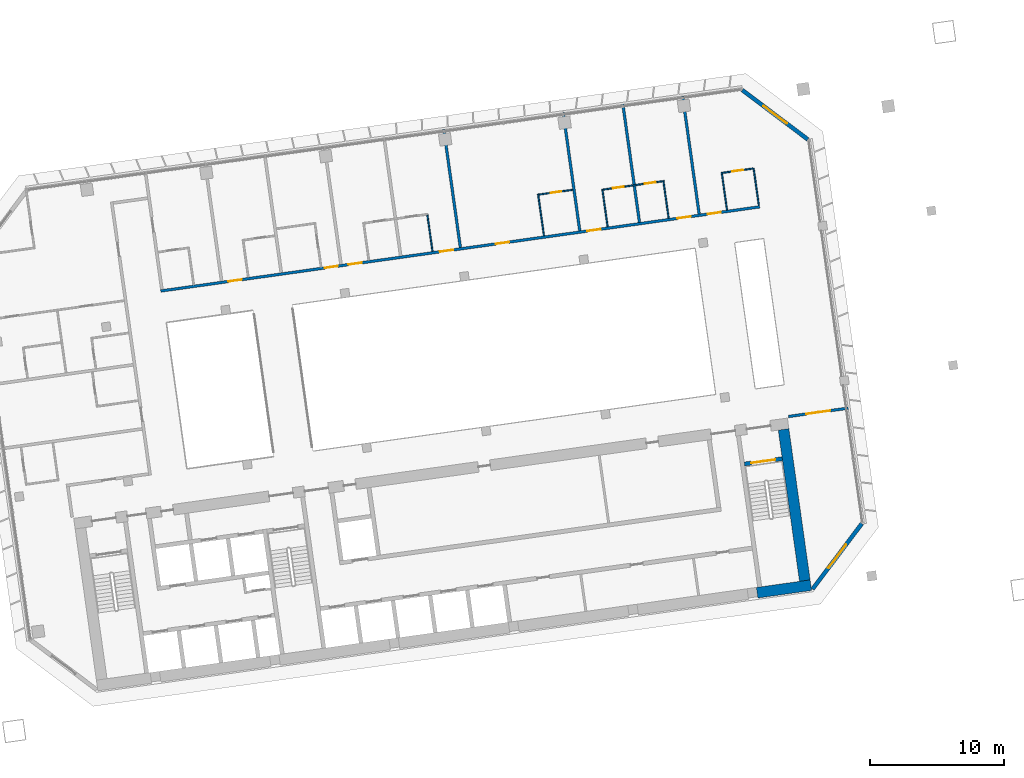
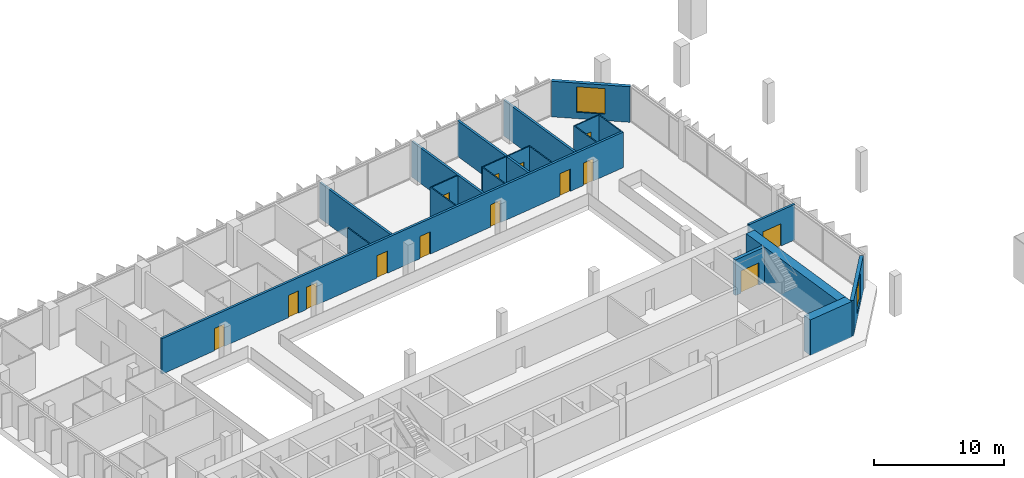
# One storey, part 23 of 26: 20 walls, 14 doors, 2 windows, 16 openings.
"""IFC4 building model written with IfcOpenShell, lengths in metres."""

from ifc_helpers import new_model, si_unit, direction, frame, frame_2d, origin, place, context, subcontext, project, spatial, rectangle, extrude, material, layer, layer_set, type_object, element, fill, save


model = new_model("IFC4")

# Units and contexts
model_context = context("Model", 3, precision=1e-05, world=origin(), true_north=direction((0.0, 1.0)))
body_context = subcontext(model_context, "Body", "Model", "MODEL_VIEW")
ifc_project = project(units=[si_unit("LENGTHUNIT", "METRE"), si_unit("AREAUNIT", "SQUARE_METRE"), si_unit("VOLUMEUNIT", "CUBIC_METRE"), si_unit("PLANEANGLEUNIT", "RADIAN"), si_unit("MASSUNIT", "GRAM", prefix="KILO")], contexts=[model_context])

# Site, building, storey
site_placement = place(None, origin())
site = spatial("IfcSite", under=ifc_project, at=site_placement, CompositionType="ELEMENT")
building_placement = place(site_placement, origin())
building = spatial("IfcBuilding", under=site, at=building_placement, Name="Mirante Cascada Hotel Towers", CompositionType="ELEMENT")
storey_placement = place(building_placement, frame((0.0, 0.0, 98.7)))
storey = spatial("IfcBuildingStorey", under=building, at=storey_placement, Name="L21", CompositionType="ELEMENT", Elevation=98.7)

# Wall, opening, door
ifc_material_1 = material(Name="Fire-rated plasterboard on metal studs")
ifc_layer_1 = layer(ifc_material_1, 0.2)
ifc_layer_set_1 = layer_set([ifc_layer_1], Name="Compartment wall 200 EI 120")
wall_type_1 = type_object("IfcWallType", Name="Compartment wall 200 EI 120", PredefinedType="PARTITIONING", material=ifc_layer_set_1)
wall_1_placement = place(storey_placement, frame((93.1941, 1.0244, 0.0), z_axis=(0.0, 0.0, 1.0), x_axis=(-0.9902674, -0.1391779, 0.0)))
wall_1 = element("IfcWall", 1, at=wall_1_placement, inside=storey, type_object=wall_type_1, Name="Wall 2-L21-01", PredefinedType="PARTITIONING", context=body_context, shape_type="SweptSolid", body=[
    extrude(rectangle(XDim=4.5, YDim=0.2, at=frame_2d((2.25, 0.0))), origin(), (0.0, 0.0, 1.0), 3.35),
])
opening_1_placement = place(wall_1_placement, frame((1.35, 0.0, 0.0)))
opening_1 = element("IfcOpeningElement", 2, at=opening_1_placement, cuts=wall_1, Name="Opening D2-L21-01", PredefinedType="OPENING", context=body_context, shape_type="SweptSolid", body=[
    extrude(rectangle(XDim=1.8, YDim=2.1, at=frame_2d((0.9, 1.05))), frame((0.0, 0.1, 0.0), z_axis=(0.0, -1.0, 0.0), x_axis=(1.0, 0.0, 0.0)), (0.0, 0.0, 1.0), 0.2),
])
ifc_material_2 = material(Name="Fire-rated timber door leaf", Category="wood")
door_type_1 = type_object("IfcDoorType", Name="Suite double door DG2 1800x2100 EI 60", OperationType="DOUBLE_DOOR_SINGLE_SWING", PredefinedType="DOOR", material=ifc_material_2)
door_1_placement = place(opening_1_placement, origin())
door_1 = element("IfcDoor", 3, at=door_1_placement, inside=storey, type_object=door_type_1, Name="Door D2-L21-01", OperationType="DOUBLE_DOOR_SINGLE_SWING", OverallHeight=2.1, OverallWidth=1.8, PredefinedType="DOOR", context=body_context, shape_type="SweptSolid", body=[
    extrude(rectangle(XDim=0.895, YDim=2.1, at=frame_2d((0.4475, 1.05))), frame((0.0, 0.025, 0.0), z_axis=(0.0, -1.0, 0.0), x_axis=(1.0, 0.0, 0.0)), (0.0, 0.0, 1.0), 0.05),
    extrude(rectangle(XDim=0.895, YDim=2.1, at=frame_2d((1.3525, 1.05))), frame((0.0, 0.025, 0.0), z_axis=(0.0, -1.0, 0.0), x_axis=(1.0, 0.0, 0.0)), (0.0, 0.0, 1.0), 0.05),
])
fill(opening_1, door_1)

# Wall, openings, doors
wall_2_placement = place(storey_placement, frame((41.8779, 9.7676, 0.0), z_axis=(0.0, 0.0, 1.0), x_axis=(0.990268, 0.1391739, 0.0)))
wall_2 = element("IfcWall", 4, at=wall_2_placement, inside=storey, type_object=wall_type_1, Name="Wall 2-L21-10", PredefinedType="PARTITIONING", context=body_context, shape_type="SweptSolid", body=[
    extrude(rectangle(XDim=45.15, YDim=0.2, at=frame_2d((22.575, 0.0))), origin(), (0.0, 0.0, 1.0), 3.35),
])
opening_2_placement = place(wall_2_placement, frame((5.1063, 0.0, 0.0)))
opening_2 = element("IfcOpeningElement", 5, at=opening_2_placement, cuts=wall_2, Name="Opening D2-L21-05", PredefinedType="OPENING", context=body_context, shape_type="SweptSolid", body=[
    extrude(rectangle(XDim=1.0, YDim=2.1, at=frame_2d((0.5, 1.05))), frame((0.0, 0.1, 0.0), z_axis=(0.0, -1.0, 0.0), x_axis=(1.0, 0.0, 0.0)), (0.0, 0.0, 1.0), 0.2),
])
opening_3_placement = place(wall_2_placement, frame((12.35, 0.0, 0.0)))
opening_3 = element("IfcOpeningElement", 6, at=opening_3_placement, cuts=wall_2, Name="Opening D2-L21-06", PredefinedType="OPENING", context=body_context, shape_type="SweptSolid", body=[
    extrude(rectangle(XDim=1.0, YDim=2.1, at=frame_2d((0.5, 1.05))), frame((0.0, 0.1, 0.0), z_axis=(0.0, -1.0, 0.0), x_axis=(1.0, 0.0, 0.0)), (0.0, 0.0, 1.0), 0.2),
])
opening_4_placement = place(wall_2_placement, frame((14.15, 0.0, 0.0)))
opening_4 = element("IfcOpeningElement", 7, at=opening_4_placement, cuts=wall_2, Name="Opening D2-L21-07", PredefinedType="OPENING", context=body_context, shape_type="SweptSolid", body=[
    extrude(rectangle(XDim=1.0, YDim=2.1, at=frame_2d((0.5, 1.05))), frame((0.0, 0.1, 0.0), z_axis=(0.0, -1.0, 0.0), x_axis=(1.0, 0.0, 0.0)), (0.0, 0.0, 1.0), 0.2),
])
opening_5_placement = place(wall_2_placement, frame((21.05, 0.0, 0.0)))
opening_5 = element("IfcOpeningElement", 8, at=opening_5_placement, cuts=wall_2, Name="Opening D2-L21-08", PredefinedType="OPENING", context=body_context, shape_type="SweptSolid", body=[
    extrude(rectangle(XDim=1.0, YDim=2.1, at=frame_2d((0.5, 1.05))), frame((0.0, 0.1, 0.0), z_axis=(0.0, -1.0, 0.0), x_axis=(1.0, 0.0, 0.0)), (0.0, 0.0, 1.0), 0.2),
])
opening_6_placement = place(wall_2_placement, frame((25.25, 0.0, 0.0)))
opening_6 = element("IfcOpeningElement", 9, at=opening_6_placement, cuts=wall_2, Name="Opening D2-L21-09", PredefinedType="OPENING", context=body_context, shape_type="SweptSolid", body=[
    extrude(rectangle(XDim=1.0, YDim=2.1, at=frame_2d((0.5, 1.05))), frame((0.0, 0.1, 0.0), z_axis=(0.0, -1.0, 0.0), x_axis=(1.0, 0.0, 0.0)), (0.0, 0.0, 1.0), 0.2),
])
opening_7_placement = place(wall_2_placement, frame((32.15, 0.0, 0.0)))
opening_7 = element("IfcOpeningElement", 10, at=opening_7_placement, cuts=wall_2, Name="Opening D2-L21-10", PredefinedType="OPENING", context=body_context, shape_type="SweptSolid", body=[
    extrude(rectangle(XDim=1.0, YDim=2.1, at=frame_2d((0.5, 1.05))), frame((0.0, 0.1, 0.0), z_axis=(0.0, -1.0, 0.0), x_axis=(1.0, 0.0, 0.0)), (0.0, 0.0, 1.0), 0.2),
])
opening_8_placement = place(wall_2_placement, frame((38.95, 0.0, 0.0)))
opening_8 = element("IfcOpeningElement", 11, at=opening_8_placement, cuts=wall_2, Name="Opening D2-L21-11", PredefinedType="OPENING", context=body_context, shape_type="SweptSolid", body=[
    extrude(rectangle(XDim=1.0, YDim=2.1, at=frame_2d((0.5, 1.05))), frame((0.0, 0.1, 0.0), z_axis=(0.0, -1.0, 0.0), x_axis=(1.0, 0.0, 0.0)), (0.0, 0.0, 1.0), 0.2),
])
opening_9_placement = place(wall_2_placement, frame((41.22, 0.0, 0.0)))
opening_9 = element("IfcOpeningElement", 12, at=opening_9_placement, cuts=wall_2, Name="Opening D2-L21-12", PredefinedType="OPENING", context=body_context, shape_type="SweptSolid", body=[
    extrude(rectangle(XDim=1.0, YDim=2.1, at=frame_2d((0.5, 1.05))), frame((0.0, 0.1, 0.0), z_axis=(0.0, -1.0, 0.0), x_axis=(1.0, 0.0, 0.0)), (0.0, 0.0, 1.0), 0.2),
])
ifc_material_3 = material(Name="Fire-rated timber door leaf", Category="wood")
door_type_2 = type_object("IfcDoorType", Name="Entrance door DG1 1000x2100 EI 60", OperationType="SINGLE_SWING_LEFT", PredefinedType="DOOR", material=ifc_material_3)
door_2_placement = place(opening_2_placement, origin())
door_2 = element("IfcDoor", 13, at=door_2_placement, inside=storey, type_object=door_type_2, Name="Door D2-L21-05", OperationType="SINGLE_SWING_LEFT", OverallHeight=2.1, OverallWidth=1.0, PredefinedType="DOOR", context=body_context, shape_type="SweptSolid", body=[
    extrude(rectangle(XDim=1.0, YDim=2.1, at=frame_2d((0.5, 1.05))), frame((0.0, 0.025, 0.0), z_axis=(0.0, -1.0, 0.0), x_axis=(1.0, 0.0, 0.0)), (0.0, 0.0, 1.0), 0.05),
])
fill(opening_2, door_2)
door_3_placement = place(opening_3_placement, origin())
door_3 = element("IfcDoor", 14, at=door_3_placement, inside=storey, type_object=door_type_2, Name="Door D2-L21-06", OperationType="SINGLE_SWING_LEFT", OverallHeight=2.1, OverallWidth=1.0, PredefinedType="DOOR", context=body_context, shape_type="SweptSolid", body=[
    extrude(rectangle(XDim=1.0, YDim=2.1, at=frame_2d((0.5, 1.05))), frame((0.0, 0.025, 0.0), z_axis=(0.0, -1.0, 0.0), x_axis=(1.0, 0.0, 0.0)), (0.0, 0.0, 1.0), 0.05),
])
fill(opening_3, door_3)
door_4_placement = place(opening_4_placement, origin())
door_4 = element("IfcDoor", 15, at=door_4_placement, inside=storey, type_object=door_type_2, Name="Door D2-L21-07", OperationType="SINGLE_SWING_LEFT", OverallHeight=2.1, OverallWidth=1.0, PredefinedType="DOOR", context=body_context, shape_type="SweptSolid", body=[
    extrude(rectangle(XDim=1.0, YDim=2.1, at=frame_2d((0.5, 1.05))), frame((0.0, 0.025, 0.0), z_axis=(0.0, -1.0, 0.0), x_axis=(1.0, 0.0, 0.0)), (0.0, 0.0, 1.0), 0.05),
])
fill(opening_4, door_4)
door_5_placement = place(opening_5_placement, origin())
door_5 = element("IfcDoor", 16, at=door_5_placement, inside=storey, type_object=door_type_2, Name="Door D2-L21-08", OperationType="SINGLE_SWING_LEFT", OverallHeight=2.1, OverallWidth=1.0, PredefinedType="DOOR", context=body_context, shape_type="SweptSolid", body=[
    extrude(rectangle(XDim=1.0, YDim=2.1, at=frame_2d((0.5, 1.05))), frame((0.0, 0.025, 0.0), z_axis=(0.0, -1.0, 0.0), x_axis=(1.0, 0.0, 0.0)), (0.0, 0.0, 1.0), 0.05),
])
fill(opening_5, door_5)
door_6_placement = place(opening_6_placement, origin())
door_6 = element("IfcDoor", 17, at=door_6_placement, inside=storey, type_object=door_type_2, Name="Door D2-L21-09", OperationType="SINGLE_SWING_LEFT", OverallHeight=2.1, OverallWidth=1.0, PredefinedType="DOOR", context=body_context, shape_type="SweptSolid", body=[
    extrude(rectangle(XDim=1.0, YDim=2.1, at=frame_2d((0.5, 1.05))), frame((0.0, 0.025, 0.0), z_axis=(0.0, -1.0, 0.0), x_axis=(1.0, 0.0, 0.0)), (0.0, 0.0, 1.0), 0.05),
])
fill(opening_6, door_6)
door_7_placement = place(opening_7_placement, origin())
door_7 = element("IfcDoor", 18, at=door_7_placement, inside=storey, type_object=door_type_2, Name="Door D2-L21-10", OperationType="SINGLE_SWING_LEFT", OverallHeight=2.1, OverallWidth=1.0, PredefinedType="DOOR", context=body_context, shape_type="SweptSolid", body=[
    extrude(rectangle(XDim=1.0, YDim=2.1, at=frame_2d((0.5, 1.05))), frame((0.0, 0.025, 0.0), z_axis=(0.0, -1.0, 0.0), x_axis=(1.0, 0.0, 0.0)), (0.0, 0.0, 1.0), 0.05),
])
fill(opening_7, door_7)
door_8_placement = place(opening_8_placement, origin())
door_8 = element("IfcDoor", 19, at=door_8_placement, inside=storey, type_object=door_type_2, Name="Door D2-L21-11", OperationType="SINGLE_SWING_LEFT", OverallHeight=2.1, OverallWidth=1.0, PredefinedType="DOOR", context=body_context, shape_type="SweptSolid", body=[
    extrude(rectangle(XDim=1.0, YDim=2.1, at=frame_2d((0.5, 1.05))), frame((0.0, 0.025, 0.0), z_axis=(0.0, -1.0, 0.0), x_axis=(1.0, 0.0, 0.0)), (0.0, 0.0, 1.0), 0.05),
])
fill(opening_8, door_8)
door_9_placement = place(opening_9_placement, origin())
door_9 = element("IfcDoor", 20, at=door_9_placement, inside=storey, type_object=door_type_2, Name="Door D2-L21-12", OperationType="SINGLE_SWING_LEFT", OverallHeight=2.1, OverallWidth=1.0, PredefinedType="DOOR", context=body_context, shape_type="SweptSolid", body=[
    extrude(rectangle(XDim=1.0, YDim=2.1, at=frame_2d((0.5, 1.05))), frame((0.0, 0.025, 0.0), z_axis=(0.0, -1.0, 0.0), x_axis=(1.0, 0.0, 0.0)), (0.0, 0.0, 1.0), 0.05),
])
fill(opening_9, door_9)

# Walls
for number, where, z_axis, x_axis, name in (
    (21, (63.0054, 21.8253, 0.0), (0.0, 0.0, 1.0), (0.1391684, -0.9902687, 0.0), "Wall 2-L21-39"),
    (22, (71.9178, 23.0779, 0.0), (0.0, 0.0, 1.0), (0.1391684, -0.9902687, 0.0), "Wall 2-L21-41"),
    (23, (76.374, 23.7042, 0.0), (0.0, 0.0, 1.0), (0.1391684, -0.9902687, 0.0), "Wall 2-L21-43"),
):
    element("IfcWall", number, at=place(storey_placement, frame(where, z_axis=z_axis, x_axis=x_axis)), inside=storey, type_object=wall_type_1, Name=name, PredefinedType="PARTITIONING", context=body_context, shape_type="SweptSolid", body=[
        extrude(rectangle(XDim=8.9, YDim=0.2, at=frame_2d((4.45, 0.0))), origin(), (0.0, 0.0, 1.0), 3.35),
    ])
wall_3_placement = place(storey_placement, frame((80.8302, 24.3304, 0.0), z_axis=(0.0, 0.0, 1.0), x_axis=(0.13917, -0.9902685, 0.0)))
element("IfcWall", 24, at=wall_3_placement, inside=storey, type_object=wall_type_1, Name="Wall 2-L21-45", PredefinedType="PARTITIONING", context=body_context, shape_type="SweptSolid", body=[
    extrude(rectangle(XDim=8.8999, YDim=0.2, at=frame_2d((4.45, 0.0))), origin(), (0.0, 0.0, 1.0), 3.35),
])

# Wall, openings, doors
ifc_material_4 = material(Name="Plasterboard on metal studs")
ifc_layer_2 = layer(ifc_material_4, 0.1)
ifc_layer_set_2 = layer_set([ifc_layer_2], Name="Partition 100")
wall_type_2 = type_object("IfcWallType", Name="Partition 100", PredefinedType="PARTITIONING", material=ifc_layer_set_2)
wall_4_placement = place(storey_placement, frame((74.7968, 17.3226, 0.0), z_axis=(0.0, 0.0, 1.0), x_axis=(0.9902682, 0.139172, 0.0)))
wall_4 = element("IfcWall", 25, at=wall_4_placement, inside=storey, type_object=wall_type_2, Name="Wall 2-L21-14", PredefinedType="PARTITIONING", context=body_context, shape_type="SweptSolid", body=[
    extrude(rectangle(XDim=4.6999, YDim=0.1, at=frame_2d((2.35, 0.0))), origin(), (0.0, 0.0, 1.0), 3.35),
])
opening_10_placement = place(wall_4_placement, frame((0.85, 0.0, 0.0)))
opening_10 = element("IfcOpeningElement", 26, at=opening_10_placement, cuts=wall_4, Name="Opening D2-L21-17", PredefinedType="OPENING", context=body_context, shape_type="SweptSolid", body=[
    extrude(rectangle(XDim=0.8, YDim=2.1, at=frame_2d((0.4, 1.05))), frame((0.0, 0.05, 0.0), z_axis=(0.0, -1.0, 0.0), x_axis=(1.0, 0.0, 0.0)), (0.0, 0.0, 1.0), 0.1),
])
opening_11_placement = place(wall_4_placement, frame((3.25, 0.0, 0.0)))
opening_11 = element("IfcOpeningElement", 27, at=opening_11_placement, cuts=wall_4, Name="Opening D2-L21-18", PredefinedType="OPENING", context=body_context, shape_type="SweptSolid", body=[
    extrude(rectangle(XDim=0.8, YDim=2.1, at=frame_2d((0.4, 1.05))), frame((0.0, 0.05, 0.0), z_axis=(0.0, -1.0, 0.0), x_axis=(1.0, 0.0, 0.0)), (0.0, 0.0, 1.0), 0.1),
])
ifc_material_5 = material(Name="Timber door leaf", Category="wood")
door_type_3 = type_object("IfcDoorType", Name="Bathroom door DG4 800x2100", OperationType="SINGLE_SWING_LEFT", PredefinedType="DOOR", material=ifc_material_5)
door_10_placement = place(opening_10_placement, origin())
door_10 = element("IfcDoor", 28, at=door_10_placement, inside=storey, type_object=door_type_3, Name="Door D2-L21-17", OperationType="SINGLE_SWING_LEFT", OverallHeight=2.1, OverallWidth=0.8, PredefinedType="DOOR", context=body_context, shape_type="SweptSolid", body=[
    extrude(rectangle(XDim=0.8, YDim=2.1, at=frame_2d((0.4, 1.05))), frame((0.0, 0.025, 0.0), z_axis=(0.0, -1.0, 0.0), x_axis=(1.0, 0.0, 0.0)), (0.0, 0.0, 1.0), 0.05),
])
fill(opening_10, door_10)
door_11_placement = place(opening_11_placement, origin())
door_11 = element("IfcDoor", 29, at=door_11_placement, inside=storey, type_object=door_type_3, Name="Door D2-L21-18", OperationType="SINGLE_SWING_LEFT", OverallHeight=2.1, OverallWidth=0.8, PredefinedType="DOOR", context=body_context, shape_type="SweptSolid", body=[
    extrude(rectangle(XDim=0.8, YDim=2.1, at=frame_2d((0.4, 1.05))), frame((0.0, 0.025, 0.0), z_axis=(0.0, -1.0, 0.0), x_axis=(1.0, 0.0, 0.0)), (0.0, 0.0, 1.0), 0.05),
])
fill(opening_11, door_11)

# Wall, opening, door
wall_5_placement = place(storey_placement, frame((86.0858, 18.9091, 0.0), z_axis=(0.0, 0.0, 1.0), x_axis=(-0.9902678, -0.1391749, 0.0)))
wall_5 = element("IfcWall", 30, at=wall_5_placement, inside=storey, type_object=wall_type_2, Name="Wall 2-L21-15", PredefinedType="PARTITIONING", context=body_context, shape_type="SweptSolid", body=[
    extrude(rectangle(XDim=2.3, YDim=0.1, at=frame_2d((1.15, 0.0))), origin(), (0.0, 0.0, 1.0), 3.35),
])
opening_12_placement = place(wall_5_placement, frame((0.75, 0.0, 0.0)))
opening_12 = element("IfcOpeningElement", 31, at=opening_12_placement, cuts=wall_5, Name="Opening D2-L21-19", PredefinedType="OPENING", context=body_context, shape_type="SweptSolid", body=[
    extrude(rectangle(XDim=0.8, YDim=2.1, at=frame_2d((0.4, 1.05))), frame((0.0, 0.05, 0.0), z_axis=(0.0, -1.0, 0.0), x_axis=(1.0, 0.0, 0.0)), (0.0, 0.0, 1.0), 0.1),
])
door_12_placement = place(opening_12_placement, frame((0.8, 0.0, 0.0), z_axis=(0.0, 0.0, 1.0), x_axis=(-1.0, 0.0, 0.0)))
door_12 = element("IfcDoor", 32, at=door_12_placement, inside=storey, type_object=door_type_3, Name="Door D2-L21-19", OperationType="SINGLE_SWING_RIGHT", OverallHeight=2.1, OverallWidth=0.8, PredefinedType="DOOR", context=body_context, shape_type="SweptSolid", body=[
    extrude(rectangle(XDim=0.8, YDim=2.1, at=frame_2d((0.4, 1.05))), frame((0.0, 0.025, 0.0), z_axis=(0.0, -1.0, 0.0), x_axis=(1.0, 0.0, 0.0)), (0.0, 0.0, 1.0), 0.05),
])
fill(opening_12, door_12)

wall_6_placement = place(storey_placement, frame((70.1008, 16.9655, 0.0), z_axis=(0.0, 0.0, 1.0), x_axis=(0.9902677, 0.1391755, 0.0)))
wall_6 = element("IfcWall", 33, at=wall_6_placement, inside=storey, type_object=wall_type_2, Name="Wall 2-L21-16", PredefinedType="PARTITIONING", context=body_context, shape_type="SweptSolid", body=[
    extrude(rectangle(XDim=2.55, YDim=0.1, at=frame_2d((1.275, 0.0))), origin(), (0.0, 0.0, 1.0), 3.35),
])
opening_13_placement = place(wall_6_placement, frame((0.9, 0.0, 0.0)))
opening_13 = element("IfcOpeningElement", 34, at=opening_13_placement, cuts=wall_6, Name="Opening D2-L21-20", PredefinedType="OPENING", context=body_context, shape_type="SweptSolid", body=[
    extrude(rectangle(XDim=0.8, YDim=2.1, at=frame_2d((0.4, 1.05))), frame((0.0, 0.05, 0.0), z_axis=(0.0, -1.0, 0.0), x_axis=(1.0, 0.0, 0.0)), (0.0, 0.0, 1.0), 0.1),
])
door_13_placement = place(opening_13_placement, origin())
door_13 = element("IfcDoor", 35, at=door_13_placement, inside=storey, type_object=door_type_3, Name="Door D2-L21-20", OperationType="SINGLE_SWING_LEFT", OverallHeight=2.1, OverallWidth=0.8, PredefinedType="DOOR", context=body_context, shape_type="SweptSolid", body=[
    extrude(rectangle(XDim=0.8, YDim=2.1, at=frame_2d((0.4, 1.05))), frame((0.0, 0.025, 0.0), z_axis=(0.0, -1.0, 0.0), x_axis=(1.0, 0.0, 0.0)), (0.0, 0.0, 1.0), 0.05),
])
fill(opening_13, door_13)

# Walls
wall_7_placement = place(storey_placement, frame((62.1644, 12.7197, 0.0), z_axis=(0.0, 0.0, 1.0), x_axis=(-0.1391657, 0.9902691, 0.0)))
element("IfcWall", 36, at=wall_7_placement, inside=storey, type_object=wall_type_2, Name="Wall 2-L21-38", PredefinedType="PARTITIONING", context=body_context, shape_type="SweptSolid", body=[
    extrude(rectangle(XDim=2.75, YDim=0.1, at=frame_2d((1.375, 0.0))), origin(), (0.0, 0.0, 1.0), 3.35),
])
wall_8_placement = place(storey_placement, frame((70.4827, 13.8887, 0.0), z_axis=(0.0, 0.0, 1.0), x_axis=(-0.1391721, 0.9902682, 0.0)))
element("IfcWall", 37, at=wall_8_placement, inside=storey, type_object=wall_type_2, Name="Wall 2-L21-40", PredefinedType="PARTITIONING", context=body_context, shape_type="SweptSolid", body=[
    extrude(rectangle(XDim=3.1501, YDim=0.1, at=frame_2d((1.575, 0.0))), origin(), (0.0, 0.0, 1.0), 3.35),
])
for number, where, z_axis, x_axis, name in (
    (38, (75.236, 14.5568, 0.0), (0.0, 0.0, 1.0), (-0.1391657, 0.9902691, 0.0), "Wall 2-L21-42"),
    (39, (79.7912, 15.197, 0.0), (0.0, 0.0, 1.0), (-0.1391657, 0.9902691, 0.0), "Wall 2-L21-44"),
):
    element("IfcWall", number, at=place(storey_placement, frame(where, z_axis=z_axis, x_axis=x_axis)), inside=storey, type_object=wall_type_2, Name=name, PredefinedType="PARTITIONING", context=body_context, shape_type="SweptSolid", body=[
        extrude(rectangle(XDim=2.75, YDim=0.1, at=frame_2d((1.375, 0.0))), origin(), (0.0, 0.0, 1.0), 3.35),
    ])
wall_9_placement = place(storey_placement, frame((84.1484, 15.8093, 0.0), z_axis=(0.0, 0.0, 1.0), x_axis=(-0.1391909, 0.9902656, 0.0)))
element("IfcWall", 40, at=wall_9_placement, inside=storey, type_object=wall_type_2, Name="Wall 2-L21-46", PredefinedType="PARTITIONING", context=body_context, shape_type="SweptSolid", body=[
    extrude(rectangle(XDim=2.85, YDim=0.1, at=frame_2d((1.425, 0.0))), origin(), (0.0, 0.0, 1.0), 3.35),
])
wall_10_placement = place(storey_placement, frame((86.1326, 18.9359, 0.0), z_axis=(0.0, 0.0, 1.0), x_axis=(0.139173, -0.9902681, 0.0)))
element("IfcWall", 41, at=wall_10_placement, inside=storey, type_object=wall_type_2, Name="Wall 2-L21-47", PredefinedType="PARTITIONING", context=body_context, shape_type="SweptSolid", body=[
    extrude(rectangle(XDim=2.7901, YDim=0.1, at=frame_2d((1.395, 0.0))), origin(), (0.0, 0.0, 1.0), 3.35),
])

# Wall, opening, window
ifc_material_6 = material(Name="Precast concrete C40/50", Category="concrete")
ifc_layer_3 = layer(ifc_material_6, 0.3)
ifc_layer_set_3 = layer_set([ifc_layer_3], Name="Precast concrete C40/50 cladding wall 300")
wall_type_3 = type_object("IfcWallType", Name="Precast concrete C40/50 cladding wall 300", PredefinedType="STANDARD", material=ifc_layer_set_3)
wall_11_placement = place(storey_placement, frame((90.5299, -12.4841, 0.0), z_axis=(0.0, 0.0, 1.0), x_axis=(0.6018063, 0.7986421, 0.0)))
wall_11 = element("IfcWall", 42, at=wall_11_placement, inside=storey, type_object=wall_type_3, Name="Corner cladding wall T2 L21 rear outer", PredefinedType="STANDARD", context=body_context, shape_type="SweptSolid", body=[
    extrude(rectangle(XDim=6.1158, YDim=0.3, at=frame_2d((3.0579, 0.0))), origin(), (0.0, 0.0, 1.0), 3.35),
])
opening_14_placement = place(wall_11_placement, frame((1.9578, 0.0, 0.6)))
opening_14 = element("IfcOpeningElement", 43, at=opening_14_placement, cuts=wall_11, Name="Opening W2-21-01", PredefinedType="OPENING", context=body_context, shape_type="SweptSolid", body=[
    extrude(rectangle(XDim=2.2, YDim=2.4, at=frame_2d((1.1, 1.2))), frame((0.0, 0.15, 0.0), z_axis=(0.0, -1.0, 0.0), x_axis=(1.0, 0.0, 0.0)), (0.0, 0.0, 1.0), 0.3),
])
ifc_material_7 = material(Name="Aluminium frame with clear double glazing", Category="aluminium")
window_type = type_object("IfcWindowType", Name="Corner suite window 2200x2400", PartitioningType="DOUBLE_PANEL_VERTICAL", PredefinedType="WINDOW", material=ifc_material_7)
window_1_placement = place(opening_14_placement, origin())
window_1 = element("IfcWindow", 44, at=window_1_placement, inside=storey, type_object=window_type, Name="Window W2-21-01", OverallHeight=2.4, OverallWidth=2.2, PartitioningType="SINGLE_PANEL", PredefinedType="WINDOW", context=body_context, shape_type="SweptSolid", body=[
    extrude(rectangle(XDim=2.2, YDim=2.4, at=frame_2d((1.1, 1.2))), frame((0.0, 0.03, 0.0), z_axis=(0.0, -1.0, 0.0), x_axis=(1.0, 0.0, 0.0)), (0.0, 0.0, 1.0), 0.06),
])
fill(opening_14, window_1)

wall_12_placement = place(storey_placement, frame((90.1795, 21.0817, 0.0), z_axis=(0.0, 0.0, 1.0), x_axis=(-0.7986362, 0.6018141, 0.0)))
wall_12 = element("IfcWall", 45, at=wall_12_placement, inside=storey, type_object=wall_type_3, Name="Corner cladding wall T2 L21 outer front", PredefinedType="STANDARD", context=body_context, shape_type="SweptSolid", body=[
    extrude(rectangle(XDim=6.1157, YDim=0.3, at=frame_2d((3.0578, 0.0))), origin(), (0.0, 0.0, 1.0), 3.35),
])
opening_15_placement = place(wall_12_placement, frame((1.9578, 0.0, 0.6)))
opening_15 = element("IfcOpeningElement", 46, at=opening_15_placement, cuts=wall_12, Name="Opening W2-21-02", PredefinedType="OPENING", context=body_context, shape_type="SweptSolid", body=[
    extrude(rectangle(XDim=2.2, YDim=2.4, at=frame_2d((1.1, 1.2))), frame((0.0, 0.15, 0.0), z_axis=(0.0, -1.0, 0.0), x_axis=(1.0, 0.0, 0.0)), (0.0, 0.0, 1.0), 0.3),
])
window_2_placement = place(opening_15_placement, origin())
window_2 = element("IfcWindow", 47, at=window_2_placement, inside=storey, type_object=window_type, Name="Window W2-21-02", OverallHeight=2.4, OverallWidth=2.2, PartitioningType="SINGLE_PANEL", PredefinedType="WINDOW", context=body_context, shape_type="SweptSolid", body=[
    extrude(rectangle(XDim=2.2, YDim=2.4, at=frame_2d((1.1, 1.2))), frame((0.0, 0.03, 0.0), z_axis=(0.0, -1.0, 0.0), x_axis=(1.0, 0.0, 0.0)), (0.0, 0.0, 1.0), 0.06),
])
fill(opening_15, window_2)

# Wall, opening, door
ifc_material_8 = material(Name="Concrete C50/60", Category="concrete")
ifc_layer_4 = layer(ifc_material_8, 0.3)
ifc_layer_set_4 = layer_set([ifc_layer_4], Name="RC core wall 300 C50/60")
wall_type_4 = type_object("IfcWallType", Name="RC core wall 300 C50/60", PredefinedType="SHEAR", material=ifc_layer_set_4)
wall_13_placement = place(storey_placement, frame((85.4489, -3.1441, 0.0), z_axis=(0.0, 0.0, 1.0), x_axis=(0.9902697, 0.1391613, 0.0)))
wall_13 = element("IfcWall", 48, at=wall_13_placement, inside=storey, type_object=wall_type_4, Name="Core wall T2:L21:11", PredefinedType="SHEAR", context=body_context, shape_type="SweptSolid", body=[
    extrude(rectangle(XDim=2.8499, YDim=0.3, at=frame_2d((1.425, 0.0))), origin(), (0.0, 0.0, 1.0), 3.35),
])
opening_16_placement = place(wall_13_placement, frame((0.525, 0.0, 0.0)))
opening_16 = element("IfcOpeningElement", 49, at=opening_16_placement, cuts=wall_13, Name="Opening D2-21-C17", PredefinedType="OPENING", context=body_context, shape_type="SweptSolid", body=[
    extrude(rectangle(XDim=1.8, YDim=2.1, at=frame_2d((0.9, 1.05))), frame((0.0, 0.15, 0.0), z_axis=(0.0, -1.0, 0.0), x_axis=(1.0, 0.0, 0.0)), (0.0, 0.0, 1.0), 0.3),
])
ifc_material_9 = material(Name="Hollow metal fire door leaf")
door_type_4 = type_object("IfcDoorType", Name="Double fire door 1800x2100 FD60", OperationType="DOUBLE_DOOR_SINGLE_SWING", PredefinedType="DOOR", material=ifc_material_9)
door_14_placement = place(opening_16_placement, frame((1.8, 0.0, 0.0), z_axis=(0.0, 0.0, 1.0), x_axis=(-1.0, 0.0, 0.0)))
door_14 = element("IfcDoor", 50, at=door_14_placement, inside=storey, type_object=door_type_4, Name="Stair door T2 L21 17", OperationType="DOUBLE_DOOR_SINGLE_SWING", OverallHeight=2.1, OverallWidth=1.8, PredefinedType="DOOR", context=body_context, shape_type="SweptSolid", body=[
    extrude(rectangle(XDim=0.895, YDim=2.1, at=frame_2d((0.4475, 1.05))), frame((0.0, 0.025, 0.0), z_axis=(0.0, -1.0, 0.0), x_axis=(1.0, 0.0, 0.0)), (0.0, 0.0, 1.0), 0.05),
    extrude(rectangle(XDim=0.895, YDim=2.1, at=frame_2d((1.3525, 1.05))), frame((0.0, 0.025, 0.0), z_axis=(0.0, -1.0, 0.0), x_axis=(1.0, 0.0, 0.0)), (0.0, 0.0, 1.0), 0.05),
])
fill(opening_16, door_14)

# Walls
ifc_material_10 = material(Name="Concrete C50/60", Category="concrete")
ifc_layer_5 = layer(ifc_material_10, 0.8)
ifc_layer_set_5 = layer_set([ifc_layer_5], Name="RC core wall 800 C50/60")
wall_type_5 = type_object("IfcWallType", Name="RC core wall 800 C50/60", PredefinedType="SHEAR", material=ifc_layer_set_5)
wall_14_placement = place(storey_placement, frame((86.3958, -12.7559, 0.0), z_axis=(0.0, 0.0, 1.0), x_axis=(0.9902665, 0.1391845, 0.0)))
element("IfcWall", 51, at=wall_14_placement, inside=storey, type_object=wall_type_5, Name="Core wall T2:L21:1.7", PredefinedType="SHEAR", context=body_context, shape_type="SweptSolid", body=[
    extrude(rectangle(XDim=4.05, YDim=0.8, at=frame_2d((2.025, 0.0))), origin(), (0.0, 0.0, 1.0), 3.35),
])
wall_15_placement = place(storey_placement, frame((89.9546, -11.8518, 0.0), z_axis=(0.0, 0.0, 1.0), x_axis=(-0.1391761, 0.9902677, 0.0)))
element("IfcWall", 52, at=wall_15_placement, inside=storey, type_object=wall_type_5, Name="Core wall T2:L21:4", PredefinedType="SHEAR", context=body_context, shape_type="SweptSolid", body=[
    extrude(rectangle(XDim=11.3999, YDim=0.8, at=frame_2d((5.7, 0.0))), origin(), (0.0, 0.0, 1.0), 3.35),
])

save(model, "model.ifc")
